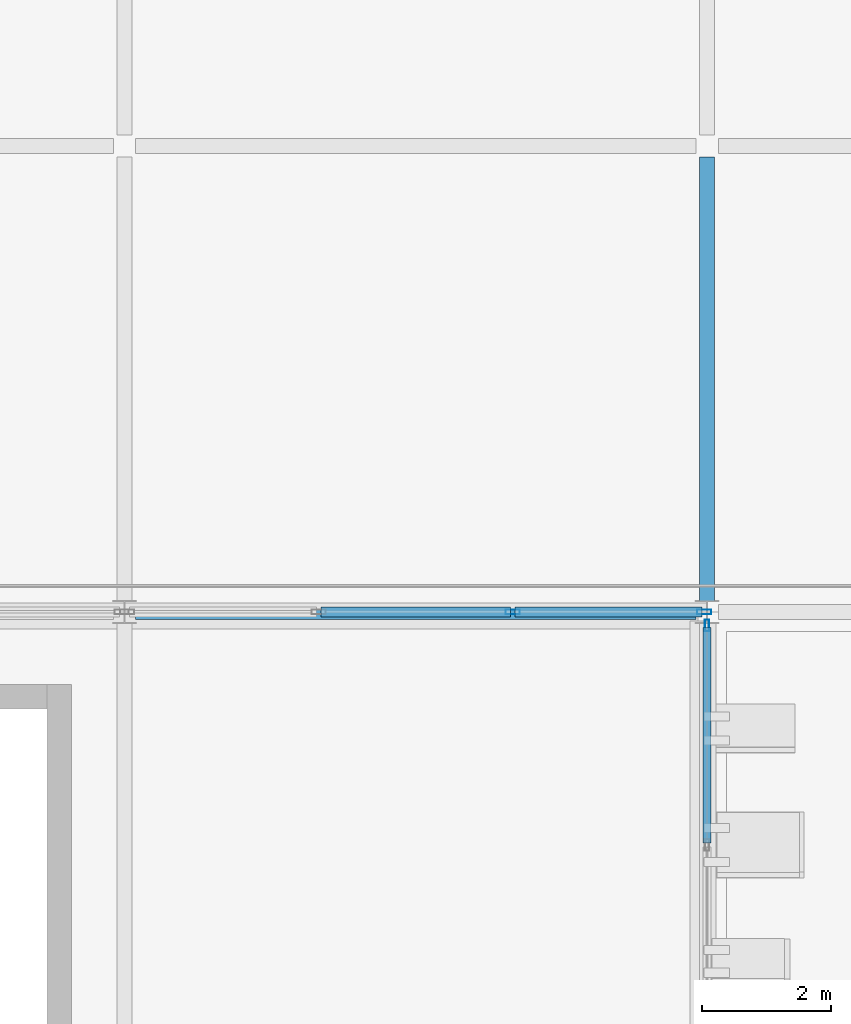
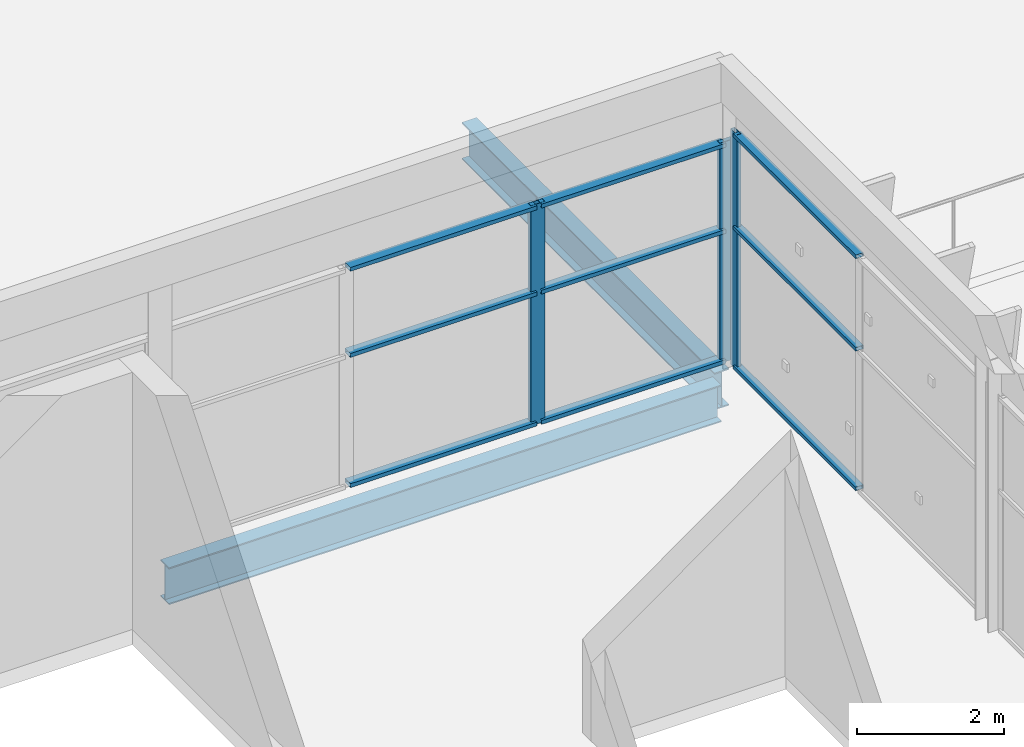
# One storey, part 36 of 78: 12 members, 2 beams, 2 elements without a shape of their own.
"""IFC4 building model written with IfcOpenShell, lengths in metres."""

from ifc_helpers import new_model, si_unit, direction, frame, origin, origin_2d, place, context, subcontext, project, spatial, hollow_rectangle, i_section, extrude, material, layer, layer_set, material_profile, profile_set, type_object, element, aggregate, save


model = new_model("IFC4")

# Units and contexts
model_context = context("Model", 3, precision=1e-05, world=origin(), true_north=direction((0.0, 1.0)))
body_context = subcontext(model_context, "Body", "Model", "MODEL_VIEW")
ifc_project = project(units=[si_unit("LENGTHUNIT", "METRE"), si_unit("AREAUNIT", "SQUARE_METRE"), si_unit("VOLUMEUNIT", "CUBIC_METRE"), si_unit("PLANEANGLEUNIT", "RADIAN"), si_unit("MASSUNIT", "GRAM", prefix="KILO")], contexts=[model_context])

# Site, building, storey
site_placement = place(None, origin())
site = spatial("IfcSite", under=ifc_project, at=site_placement, CompositionType="ELEMENT")
building_placement = place(site_placement, origin())
building = spatial("IfcBuilding", under=site, at=building_placement, Name="Celestram Park Convention Centre", CompositionType="ELEMENT")
storey_placement = place(building_placement, frame((0.0, 0.0, 19.800048828125)))
storey = spatial("IfcBuildingStorey", under=building, at=storey_placement, Name="L04", CompositionType="ELEMENT", Elevation=19.800048828125)

# Curtain wall, member
ifc_material_1 = material(Name="Anodised Aluminium Alloy 6063-T6", Category="aluminium")
ifc_layer_1 = layer(ifc_material_1, 0.179931640625)
ifc_layer_set_1 = layer_set([ifc_layer_1], Name="Anodised Aluminium Alloy 6063-T6")
curtain_wall_type_1 = type_object("IfcCurtainWallType", Name="ARC-CW-685X390", PredefinedType="NOTDEFINED", material=ifc_layer_set_1)
curtain_wall_1_placement = place(storey_placement, origin())
curtain_wall_1 = element("IfcCurtainWall", 1, at=curtain_wall_1_placement, inside=storey, type_object=curtain_wall_type_1, Name="Unitised curtain wall CU-L04-227", PredefinedType="NOTDEFINED")
ifc_material_profile_1 = material_profile(ifc_material_1, hollow_rectangle(XDim=0.06494140625, YDim=0.179931640625, WallThickness=0.00390625, at=origin_2d()), Name="ALU65X180X4")
ifc_profile_set_1 = profile_set([ifc_material_profile_1], Name="Anodised Aluminium Alloy 6063-T6")
member_type_1 = type_object("IfcMemberType", Name="ARC-CWM-150", PredefinedType="MULLION", material=ifc_profile_set_1)
member_1_placement = place(storey_placement, frame((117.0, 122.19140625, 0.0), z_axis=(0.0, 0.0, 1.0), x_axis=(1.0, 0.0, 0.0)))
member_1 = element("IfcMember", 2, at=member_1_placement, type_object=member_type_1, Name="CW-68X39 mullion 1", PredefinedType="MULLION", context=body_context, shape_type="SweptSolid", body=[
    extrude(hollow_rectangle(XDim=0.06494140625, YDim=0.179931640625, WallThickness=0.00390625, at=origin_2d()), origin(), (0.0, 0.0, 1.0), 3.904052734375),
])

# Curtain wall, members
ifc_layer_2 = layer(ifc_material_1, 0.179931640625)
ifc_layer_set_2 = layer_set([ifc_layer_2], Name="Anodised Aluminium Alloy 6063-T6")
curtain_wall_type_2 = type_object("IfcCurtainWallType", Name="ARC-CW-899X365", PredefinedType="NOTDEFINED", material=ifc_layer_set_2)
curtain_wall_2_placement = place(storey_placement, origin())
curtain_wall_2 = element("IfcCurtainWall", 3, at=curtain_wall_2_placement, inside=storey, type_object=curtain_wall_type_2, Name="Unitised curtain wall CU-L04-242", PredefinedType="NOTDEFINED")
ifc_material_profile_2 = material_profile(ifc_material_1, hollow_rectangle(XDim=0.074951171875, YDim=0.219970703125, WallThickness=0.00390625, at=origin_2d()), Name="ALU75X220X4")
ifc_profile_set_2 = profile_set([ifc_material_profile_2], Name="Anodised Aluminium Alloy 6063-T6")
member_type_2 = type_object("IfcMemberType", Name="ARC-CWM-180", PredefinedType="MULLION", material=ifc_profile_set_2)
member_2_placement = place(storey_placement, frame((113.998291015625, 122.39990234375, 0.0), z_axis=(0.0, 0.0, 1.0), x_axis=(0.0, 1.0, 0.0)))
member_2 = element("IfcMember", 4, at=member_2_placement, type_object=member_type_2, Name="CW-89X36 mullion 3", PredefinedType="MULLION", context=body_context, shape_type="SweptSolid", body=[
    extrude(hollow_rectangle(XDim=0.074951171875, YDim=0.219970703125, WallThickness=0.00390625, at=origin_2d()), origin(), (0.0, 0.0, 1.0), 3.64794921875),
])
member_3_placement = place(storey_placement, frame((116.95751953125, 122.39990234375, 0.0), z_axis=(0.0, 0.0, 1.0), x_axis=(0.0, 1.0, 0.0)))
member_3 = element("IfcMember", 5, at=member_3_placement, type_object=member_type_2, Name="CW-89X36 mullion 4", PredefinedType="MULLION", context=body_context, shape_type="SweptSolid", body=[
    extrude(hollow_rectangle(XDim=0.074951171875, YDim=0.219970703125, WallThickness=0.00390625, at=origin_2d()), origin(), (0.0, 0.0, 1.0), 3.64794921875),
])

# Member
ifc_material_profile_3 = material_profile(ifc_material_1, hollow_rectangle(XDim=0.1201171875, YDim=0.06005859375, WallThickness=0.0029296875, at=origin_2d()), Name="ALU120X60X3")
ifc_profile_set_3 = profile_set([ifc_material_profile_3], Name="Anodised Aluminium Alloy 6063-T6")
member_type_3 = type_object("IfcMemberType", Name="ARC-CWT-120", PredefinedType="USERDEFINED", material=ifc_profile_set_3)
member_4_placement = place(storey_placement, frame((117.0, 122.158935546875, 0.030029296875), z_axis=(0.0, -1.0, 0.0), x_axis=(1.0, 0.0, 0.0)))
member_4 = element("IfcMember", 6, at=member_4_placement, type_object=member_type_3, Name="CW-68X39 transom 1.1", ObjectType="TRANSOM", PredefinedType="USERDEFINED", context=body_context, shape_type="SweptSolid", body=[
    extrude(hollow_rectangle(XDim=0.1201171875, YDim=0.06005859375, WallThickness=0.0029296875, at=origin_2d()), origin(), (0.0, 0.0, 1.0), 3.326416015625),
])

member_5_placement = place(storey_placement, frame((117.0, 122.158935546875, 2.342041015625), z_axis=(0.0, -1.0, 0.0), x_axis=(1.0, 0.0, 0.0)))
member_5 = element("IfcMember", 7, at=member_5_placement, type_object=member_type_3, Name="CW-68X39 transom 1.2", ObjectType="TRANSOM", PredefinedType="USERDEFINED", context=body_context, shape_type="SweptSolid", body=[
    extrude(hollow_rectangle(XDim=0.1201171875, YDim=0.06005859375, WallThickness=0.0029296875, at=origin_2d()), origin(), (0.0, 0.0, 1.0), 3.326416015625),
])

member_6_placement = place(storey_placement, frame((117.0, 122.158935546875, 3.8740234375), z_axis=(0.0, -1.0, 0.0), x_axis=(1.0, 0.0, 0.0)))
member_6 = element("IfcMember", 8, at=member_6_placement, type_object=member_type_3, Name="CW-68X39 transom 1.3", ObjectType="TRANSOM", PredefinedType="USERDEFINED", context=body_context, shape_type="SweptSolid", body=[
    extrude(hollow_rectangle(XDim=0.1201171875, YDim=0.06005859375, WallThickness=0.0029296875, at=origin_2d()), origin(), (0.0, 0.0, 1.0), 3.326416015625),
])

aggregate(curtain_wall_1, [member_1, member_4, member_5, member_6])

ifc_material_profile_4 = material_profile(ifc_material_1, hollow_rectangle(XDim=0.14990234375, YDim=0.06494140625, WallThickness=0.0029296875, at=origin_2d()), Name="ALU150X65X3")
ifc_profile_set_4 = profile_set([ifc_material_profile_4], Name="Anodised Aluminium Alloy 6063-T6")
member_type_4 = type_object("IfcMemberType", Name="ARC-CWT-150", PredefinedType="USERDEFINED", material=ifc_profile_set_4)
member_7_placement = place(storey_placement, frame((111.0390625, 122.39990234375, 0.032470703125), z_axis=(1.0, 0.0, 0.0), x_axis=(0.0, 1.0, 0.0)))
member_7 = element("IfcMember", 9, at=member_7_placement, type_object=member_type_4, Name="CW-89X36 transom 2.1", ObjectType="TRANSOM", PredefinedType="USERDEFINED", context=body_context, shape_type="SweptSolid", body=[
    extrude(hollow_rectangle(XDim=0.14990234375, YDim=0.06494140625, WallThickness=0.0029296875, at=origin_2d()), origin(), (0.0, 0.0, 1.0), 2.921875),
])

member_8_placement = place(storey_placement, frame((111.0390625, 122.39990234375, 2.18896484375), z_axis=(1.0, 0.0, 0.0), x_axis=(0.0, 1.0, 0.0)))
member_8 = element("IfcMember", 10, at=member_8_placement, type_object=member_type_4, Name="CW-89X36 transom 2.2", ObjectType="TRANSOM", PredefinedType="USERDEFINED", context=body_context, shape_type="SweptSolid", body=[
    extrude(hollow_rectangle(XDim=0.14990234375, YDim=0.06494140625, WallThickness=0.0029296875, at=origin_2d()), origin(), (0.0, 0.0, 1.0), 2.921875),
])

member_9_placement = place(storey_placement, frame((111.0390625, 122.39990234375, 3.615478515625), z_axis=(1.0, 0.0, 0.0), x_axis=(0.0, 1.0, 0.0)))
member_9 = element("IfcMember", 11, at=member_9_placement, type_object=member_type_4, Name="CW-89X36 transom 2.3", ObjectType="TRANSOM", PredefinedType="USERDEFINED", context=body_context, shape_type="SweptSolid", body=[
    extrude(hollow_rectangle(XDim=0.14990234375, YDim=0.06494140625, WallThickness=0.0029296875, at=origin_2d()), origin(), (0.0, 0.0, 1.0), 2.921875),
])

member_10_placement = place(storey_placement, frame((114.035888671875, 122.39990234375, 0.032470703125), z_axis=(1.0, 0.0, 0.0), x_axis=(0.0, 1.0, 0.0)))
member_10 = element("IfcMember", 12, at=member_10_placement, type_object=member_type_4, Name="CW-89X36 transom 3.1", ObjectType="TRANSOM", PredefinedType="USERDEFINED", context=body_context, shape_type="SweptSolid", body=[
    extrude(hollow_rectangle(XDim=0.14990234375, YDim=0.06494140625, WallThickness=0.0029296875, at=origin_2d()), origin(), (0.0, 0.0, 1.0), 2.884033203125),
])

member_11_placement = place(storey_placement, frame((114.035888671875, 122.39990234375, 2.18896484375), z_axis=(1.0, 0.0, 0.0), x_axis=(0.0, 1.0, 0.0)))
member_11 = element("IfcMember", 13, at=member_11_placement, type_object=member_type_4, Name="CW-89X36 transom 3.2", ObjectType="TRANSOM", PredefinedType="USERDEFINED", context=body_context, shape_type="SweptSolid", body=[
    extrude(hollow_rectangle(XDim=0.14990234375, YDim=0.06494140625, WallThickness=0.0029296875, at=origin_2d()), origin(), (0.0, 0.0, 1.0), 2.884033203125),
])

member_12_placement = place(storey_placement, frame((114.035888671875, 122.39990234375, 3.615478515625), z_axis=(1.0, 0.0, 0.0), x_axis=(0.0, 1.0, 0.0)))
member_12 = element("IfcMember", 14, at=member_12_placement, type_object=member_type_4, Name="CW-89X36 transom 3.3", ObjectType="TRANSOM", PredefinedType="USERDEFINED", context=body_context, shape_type="SweptSolid", body=[
    extrude(hollow_rectangle(XDim=0.14990234375, YDim=0.06494140625, WallThickness=0.0029296875, at=origin_2d()), origin(), (0.0, 0.0, 1.0), 2.884033203125),
])

aggregate(curtain_wall_2, [member_2, member_3, member_7, member_8, member_9, member_10, member_11, member_12])

# Beams
ifc_material_2 = material(Name="Steel ASTM A992 Grade 50", Category="steel")
ifc_material_profile_5 = material_profile(ifc_material_2, i_section(OverallWidth=0.22900390625, OverallDepth=0.612060546875, WebThickness=0.011962890625, FlangeThickness=0.01953125, at=origin_2d()), Name="W24X84")
ifc_profile_set_5 = profile_set([ifc_material_profile_5], Name="Steel ASTM A992 Grade 50")
beam_type = type_object("IfcBeamType", Name="STR-BM-W24X84", PredefinedType="BEAM", material=ifc_profile_set_5)
beam_1_placement = place(storey_placement, frame((108.173095703125, 122.39990234375, -0.60595703125), z_axis=(1.0, 0.0, 0.0), x_axis=(0.0, 1.0, 0.0)))
element("IfcBeam", 15, at=beam_1_placement, inside=storey, type_object=beam_type, Name="Primary X-girder BG-L04-0120", PredefinedType="BEAM", context=body_context, shape_type="SweptSolid", body=[
    extrude(i_section(OverallWidth=0.22900390625, OverallDepth=0.612060546875, WebThickness=0.011962890625, FlangeThickness=0.01953125, at=origin_2d()), origin(), (0.0, 0.0, 1.0), 8.65380859375),
])
beam_2_placement = place(storey_placement, frame((117.0, 122.572998046875, -0.60595703125), z_axis=(0.0, 1.0, 0.0), x_axis=(-1.0, 0.0, 0.0)))
element("IfcBeam", 16, at=beam_2_placement, inside=storey, type_object=beam_type, Name="Primary Y-girder BG-L04-0135", PredefinedType="BEAM", context=body_context, shape_type="SweptSolid", body=[
    extrude(i_section(OverallWidth=0.22900390625, OverallDepth=0.612060546875, WebThickness=0.011962890625, FlangeThickness=0.01953125, at=origin_2d()), origin(), (0.0, 0.0, 1.0), 6.85400390625),
])

save(model, "model.ifc")
